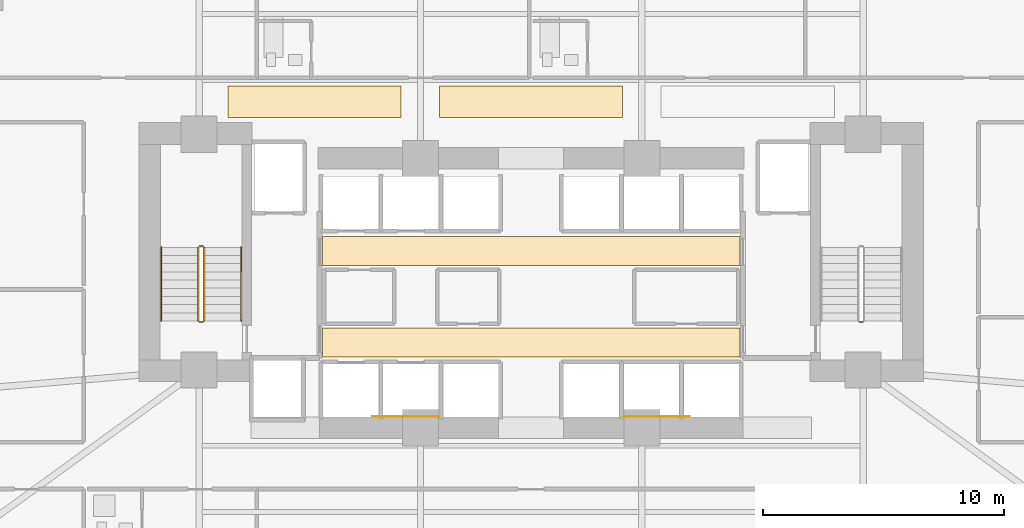
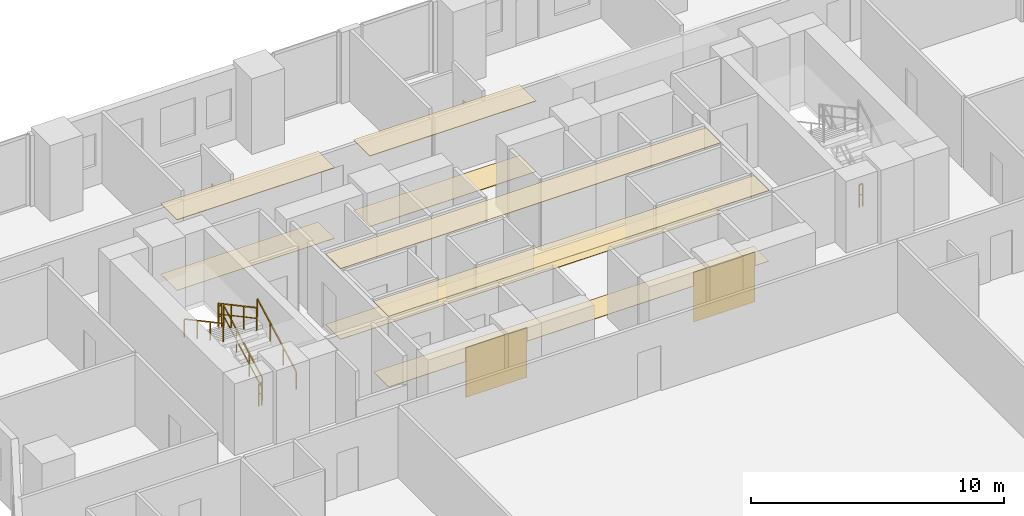
# One storey, part 25 of 28: 10 coverings, 7 railings.
"""IFC4 building model written with IfcOpenShell, lengths in metres."""

from ifc_helpers import new_model, si_unit, direction, frame, origin, origin_2d, place, context, subcontext, project, spatial, polyline, rectangle, outline, extrude, material, layer, layer_set, type_object, element, save


model = new_model("IFC4")

# Units and contexts
model_context = context("Model", 3, precision=1e-05, world=origin(), true_north=direction((0.0, 1.0)))
body_context = subcontext(model_context, "Body", "Model", "MODEL_VIEW")
ifc_project = project(units=[si_unit("LENGTHUNIT", "METRE"), si_unit("AREAUNIT", "SQUARE_METRE"), si_unit("VOLUMEUNIT", "CUBIC_METRE"), si_unit("PLANEANGLEUNIT", "RADIAN"), si_unit("MASSUNIT", "GRAM", prefix="KILO")], contexts=[model_context])

# Site, building, storey
site_placement = place(None, origin())
site = spatial("IfcSite", under=ifc_project, at=site_placement, CompositionType="ELEMENT")
building_placement = place(site_placement, origin())
building = spatial("IfcBuilding", under=site, at=building_placement, Name="Zuhayl Quay Hotel", CompositionType="ELEMENT")
storey_placement = place(building_placement, frame((0.0, 0.0, 71.39990234375)))
storey = spatial("IfcBuildingStorey", under=building, at=storey_placement, Name="L17", CompositionType="ELEMENT", Elevation=71.39990234375)

# Coverings
ifc_material_1 = material(Name="Acoustic Mineral-Fibre Gypsum Board")
ifc_layer_1 = layer(ifc_material_1, 0.02490234375, Name="Acoustic Mineral-Fibre Gypsum Board")
ifc_layer_set_1 = layer_set([ifc_layer_1], Name="Acoustic Mineral-Fibre Gypsum Board")
covering_type_1 = type_object("IfcCoveringType", Name="CV_CEIL_ACOUSTIC", PredefinedType="CEILING", material=ifc_layer_set_1)
covering_1_placement = place(storey_placement, frame((0.0, 0.0, 3.405029296875)))
element("IfcCovering", 1, at=covering_1_placement, inside=storey, type_object=covering_type_1, Name="L17 Suspended Acoustic Lobby Ceiling S", PredefinedType="CEILING", context=body_context, shape_type="SweptSolid", body=[
    extrude(outline(polyline([(-8.679931640625, 5.10009765625), (8.679931640625, 5.10009765625), (8.679931640625, 6.300048828125), (-8.679931640625, 6.300048828125), (-8.679931640625, 5.10009765625)])), origin(), (0.0, 0.0, 1.0), 0.025146484375),
])
covering_2_placement = place(storey_placement, frame((0.0, 0.0, 3.405029296875)))
element("IfcCovering", 2, at=covering_2_placement, inside=storey, type_object=covering_type_1, Name="L17 Suspended Acoustic Lobby Ceiling N", PredefinedType="CEILING", context=body_context, shape_type="SweptSolid", body=[
    extrude(outline(polyline([(-8.679931640625, 8.89990234375), (8.679931640625, 8.89990234375), (8.679931640625, 10.10009765625), (-8.679931640625, 10.10009765625), (-8.679931640625, 8.89990234375)])), origin(), (0.0, 0.0, 1.0), 0.025146484375),
])
covering_3_placement = place(storey_placement, frame((0.0, 0.0, 3.405029296875)))
element("IfcCovering", 3, at=covering_3_placement, inside=storey, type_object=covering_type_1, Name="L17 Guest Corridor Acoustic Ceiling CW", PredefinedType="CEILING", context=body_context, shape_type="SweptSolid", body=[
    extrude(outline(polyline([(-12.60009765625, 15.050048828125), (-5.39990234375, 15.050048828125), (-5.39990234375, 16.35009765625), (-12.60009765625, 16.35009765625), (-12.60009765625, 15.050048828125)])), origin(), (0.0, 0.0, 1.0), 0.025146484375),
])
covering_4_placement = place(storey_placement, frame((0.0, 0.0, 3.405029296875)))
element("IfcCovering", 4, at=covering_4_placement, inside=storey, type_object=covering_type_1, Name="L17 Guest Corridor Acoustic Ceiling CC", PredefinedType="CEILING", context=body_context, shape_type="SweptSolid", body=[
    extrude(outline(polyline([(-3.800048828125, 15.050048828125), (3.800048828125, 15.050048828125), (3.800048828125, 16.35009765625), (-3.800048828125, 16.35009765625), (-3.800048828125, 15.050048828125)])), origin(), (0.0, 0.0, 1.0), 0.025146484375),
])
ifc_material_2 = material(Name="Polished Limestone Terrazzo", Category="masonry")
ifc_layer_2 = layer(ifc_material_2, 0.02001953125, Name="Polished Limestone Terrazzo", Category="masonry")
ifc_layer_set_2 = layer_set([ifc_layer_2], Name="Polished Limestone Terrazzo")
covering_type_2 = type_object("IfcCoveringType", Name="CV_FLOOR_TERRAZZO", PredefinedType="FLOORING", material=ifc_layer_set_2)
covering_5_placement = place(storey_placement, origin())
element("IfcCovering", 5, at=covering_5_placement, inside=storey, type_object=covering_type_2, Name="L17 Honed Limestone Terrazzo Lobby Flooring S", PredefinedType="FLOORING", context=body_context, shape_type="SweptSolid", body=[
    extrude(outline(polyline([(-8.679931640625, 5.10009765625), (8.679931640625, 5.10009765625), (8.679931640625, 6.300048828125), (-8.679931640625, 6.300048828125), (-8.679931640625, 5.10009765625)])), origin(), (0.0, 0.0, 1.0), 0.02001953125),
])
covering_6_placement = place(storey_placement, origin())
element("IfcCovering", 6, at=covering_6_placement, inside=storey, type_object=covering_type_2, Name="L17 Honed Limestone Terrazzo Lobby Flooring N", PredefinedType="FLOORING", context=body_context, shape_type="SweptSolid", body=[
    extrude(outline(polyline([(-8.679931640625, 8.89990234375), (8.679931640625, 8.89990234375), (8.679931640625, 10.10009765625), (-8.679931640625, 10.10009765625), (-8.679931640625, 8.89990234375)])), origin(), (0.0, 0.0, 1.0), 0.02001953125),
])
covering_7_placement = place(storey_placement, origin())
element("IfcCovering", 7, at=covering_7_placement, inside=storey, type_object=covering_type_2, Name="L17 Guest Corridor Terrazzo Runner CW", PredefinedType="FLOORING", context=body_context, shape_type="SweptSolid", body=[
    extrude(outline(polyline([(-12.60009765625, 15.050048828125), (-5.39990234375, 15.050048828125), (-5.39990234375, 16.35009765625), (-12.60009765625, 16.35009765625), (-12.60009765625, 15.050048828125)])), origin(), (0.0, 0.0, 1.0), 0.02001953125),
])
covering_8_placement = place(storey_placement, origin())
element("IfcCovering", 8, at=covering_8_placement, inside=storey, type_object=covering_type_2, Name="L17 Guest Corridor Terrazzo Runner CC", PredefinedType="FLOORING", context=body_context, shape_type="SweptSolid", body=[
    extrude(outline(polyline([(-3.800048828125, 15.050048828125), (3.800048828125, 15.050048828125), (3.800048828125, 16.35009765625), (-3.800048828125, 16.35009765625), (-3.800048828125, 15.050048828125)])), origin(), (0.0, 0.0, 1.0), 0.02001953125),
])
ifc_material_3 = material(Name="Acoustic Walnut Feature Timber", Category="wood")
ifc_layer_3 = layer(ifc_material_3, 0.02197265625, Name="Acoustic Walnut Feature Timber", Category="wood")
ifc_layer_set_3 = layer_set([ifc_layer_3], Name="Acoustic Walnut Feature Timber")
covering_type_3 = type_object("IfcCoveringType", Name="CV_WALL_CLAD", PredefinedType="CLADDING", material=ifc_layer_set_3)
for number, where, z_axis, x_axis, name in (
    (9, (-5.199951171875, 2.611083984375, 0.300048828125), (0.0, 0.0, 1.0), (1.0, 0.0, 0.0), "L17 Feature Lobby Walnut Wall Cladding W"),
    (10, (5.199951171875, 2.611083984375, 0.300048828125), (0.0, 0.0, 1.0), (1.0, 0.0, 0.0), "L17 Feature Lobby Walnut Wall Cladding E"),
):
    element("IfcCovering", number, at=place(storey_placement, frame(where, z_axis=z_axis, x_axis=x_axis)), inside=storey, type_object=covering_type_3, Name=name, PredefinedType="CLADDING", context=body_context, shape_type="SweptSolid", body=[
        extrude(rectangle(XDim=2.800048828125, YDim=0.02197265625, at=origin_2d()), origin(), (0.0, 0.0, 1.0), 2.39990234375),
    ])

# Railings
ifc_material_4 = material(Name="Steel ASTM A992 Grade 50", Category="steel")
railing_type_1 = type_object("IfcRailingType", Name="RL_GUARD_1100", PredefinedType="GUARDRAIL", material=ifc_material_4)
railing_1_placement = place(storey_placement, frame((-13.590087890625, 6.590087890625, 0.1826171875)))
element("IfcRailing", 11, at=railing_1_placement, inside=storey, type_object=railing_type_1, Name="L17 ST1 stair guard 1", PredefinedType="GUARDRAIL", context=body_context, shape_type="SweptSolid", body=[
    extrude(rectangle(XDim=0.048095703125, YDim=0.048095703125, at=origin_2d()), frame((0.0, 0.0, 1.09619140625), z_axis=(0.0, 0.88107310026, 0.472980117973), x_axis=(-1.0, 0.0, 0.0)), (0.0, 0.0, 1.0), 3.472900390625),
    extrude(rectangle(XDim=0.0361328125, YDim=0.0361328125, at=origin_2d()), frame((0.0, 0.0, 0.58251953125), z_axis=(0.0, 0.88107310026, 0.472980117973), x_axis=(-1.0, 0.0, 0.0)), (0.0, 0.0, 1.0), 3.472900390625),
    extrude(rectangle(XDim=0.0419921875, YDim=0.0419921875, at=origin_2d()), origin(), (0.0, 0.0, 1.0), 1.072021484375),
    extrude(rectangle(XDim=0.0419921875, YDim=0.0419921875, at=origin_2d()), frame((0.0, 1.02001953125, 0.547607421875)), (0.0, 0.0, 1.0), 1.072021484375),
    extrude(rectangle(XDim=0.0419921875, YDim=0.0419921875, at=origin_2d()), frame((0.0, 2.039794921875, 1.094970703125)), (0.0, 0.0, 1.0), 1.072021484375),
    extrude(rectangle(XDim=0.0419921875, YDim=0.0419921875, at=origin_2d()), frame((0.0, 3.059814453125, 1.642578125)), (0.0, 0.0, 1.0), 1.072021484375),
])
railing_2_placement = place(storey_placement, frame((-13.639892578125, 9.699951171875, 1.8251953125)))
element("IfcRailing", 12, at=railing_2_placement, inside=storey, type_object=railing_type_1, Name="L17 ST1 stair guard 2", PredefinedType="GUARDRAIL", context=body_context, shape_type="SweptSolid", body=[
    extrude(rectangle(XDim=0.048095703125, YDim=0.048095703125, at=origin_2d()), frame((0.0, 0.0, 1.09619140625), z_axis=(-1.0, 0.0, 0.0), x_axis=(0.0, -1.0, 0.0)), (0.0, 0.0, 1.0), 0.150146484375),
    extrude(rectangle(XDim=0.0361328125, YDim=0.0361328125, at=origin_2d()), frame((0.0, 0.0, 0.58251953125), z_axis=(-1.0, 0.0, 0.0), x_axis=(0.0, -1.0, 0.0)), (0.0, 0.0, 1.0), 0.150146484375),
    extrude(rectangle(XDim=0.0419921875, YDim=0.0419921875, at=origin_2d()), origin(), (0.0, 0.0, 1.0), 1.072021484375),
    extrude(rectangle(XDim=0.0419921875, YDim=0.0419921875, at=origin_2d()), frame((-0.150146484375, 0.0, 0.0)), (0.0, 0.0, 1.0), 1.072021484375),
])
railing_3_placement = place(storey_placement, frame((-13.840087890625, 9.64990234375, 2.007568359375)))
element("IfcRailing", 13, at=railing_3_placement, inside=storey, type_object=railing_type_1, Name="L17 ST1 stair guard 3", PredefinedType="GUARDRAIL", context=body_context, shape_type="SweptSolid", body=[
    extrude(rectangle(XDim=0.048095703125, YDim=0.048095703125, at=origin_2d()), frame((0.0, 0.0, 1.09619140625), z_axis=(0.0, -0.88107310026, 0.472980117973), x_axis=(1.0, 0.0, 0.0)), (0.0, 0.0, 1.0), 3.472900390625),
    extrude(rectangle(XDim=0.0361328125, YDim=0.0361328125, at=origin_2d()), frame((0.0, 0.0, 0.58251953125), z_axis=(0.0, -0.88107310026, 0.472980117973), x_axis=(1.0, 0.0, 0.0)), (0.0, 0.0, 1.0), 3.472900390625),
    extrude(rectangle(XDim=0.0419921875, YDim=0.0419921875, at=origin_2d()), origin(), (0.0, 0.0, 1.0), 1.072021484375),
    extrude(rectangle(XDim=0.0419921875, YDim=0.0419921875, at=origin_2d()), frame((0.0, -1.02001953125, 0.547607421875)), (0.0, 0.0, 1.0), 1.072021484375),
    extrude(rectangle(XDim=0.0419921875, YDim=0.0419921875, at=origin_2d()), frame((0.0, -2.039794921875, 1.094970703125)), (0.0, 0.0, 1.0), 1.072021484375),
    extrude(rectangle(XDim=0.0419921875, YDim=0.0419921875, at=origin_2d()), frame((0.0, -3.059814453125, 1.642578125)), (0.0, 0.0, 1.0), 1.072021484375),
])
for number, where, name in (
    (14, (-13.639892578125, 6.5400390625, 0.0), "L17 ST1 stair guard 4"),
    (15, (13.7900390625, 6.5400390625, 0.0), "L17 ST2 stair guard 4"),
):
    element("IfcRailing", number, at=place(storey_placement, frame(where)), inside=storey, type_object=railing_type_1, Name=name, PredefinedType="GUARDRAIL", context=body_context, shape_type="SweptSolid", body=[
        extrude(rectangle(XDim=0.048095703125, YDim=0.048095703125, at=origin_2d()), frame((0.0, 0.0, 1.09619140625), z_axis=(-1.0, 0.0, 0.0), x_axis=(0.0, -1.0, 0.0)), (0.0, 0.0, 1.0), 0.150146484375),
        extrude(rectangle(XDim=0.0361328125, YDim=0.0361328125, at=origin_2d()), frame((0.0, 0.0, 0.58251953125), z_axis=(-1.0, 0.0, 0.0), x_axis=(0.0, -1.0, 0.0)), (0.0, 0.0, 1.0), 0.150146484375),
        extrude(rectangle(XDim=0.0419921875, YDim=0.0419921875, at=origin_2d()), origin(), (0.0, 0.0, 1.0), 1.072021484375),
        extrude(rectangle(XDim=0.0419921875, YDim=0.0419921875, at=origin_2d()), frame((-0.150146484375, 0.0, 0.0)), (0.0, 0.0, 1.0), 1.072021484375),
    ])
railing_type_2 = type_object("IfcRailingType", Name="RL_HANDRAIL_920", PredefinedType="HANDRAIL", material=ifc_material_4)
railing_4_placement = place(storey_placement, frame((-12.050048828125, 6.590087890625, 0.1826171875)))
element("IfcRailing", 16, at=railing_4_placement, inside=storey, type_object=railing_type_2, Name="L17 ST1 stair handrail 1", PredefinedType="HANDRAIL", context=body_context, shape_type="SweptSolid", body=[
    extrude(rectangle(XDim=0.048095703125, YDim=0.048095703125, at=origin_2d()), frame((0.0, 0.0, 0.8759765625), z_axis=(0.0, 0.88107310026, 0.472980117973), x_axis=(-1.0, 0.0, 0.0)), (0.0, 0.0, 1.0), 3.472900390625),
    extrude(rectangle(XDim=0.0419921875, YDim=0.0419921875, at=origin_2d()), origin(), (0.0, 0.0, 1.0), 0.851806640625),
    extrude(rectangle(XDim=0.0419921875, YDim=0.0419921875, at=origin_2d()), frame((0.0, 1.02001953125, 0.547607421875)), (0.0, 0.0, 1.0), 0.851806640625),
    extrude(rectangle(XDim=0.0419921875, YDim=0.0419921875, at=origin_2d()), frame((0.0, 2.039794921875, 1.094970703125)), (0.0, 0.0, 1.0), 0.851806640625),
    extrude(rectangle(XDim=0.0419921875, YDim=0.0419921875, at=origin_2d()), frame((0.0, 3.059814453125, 1.642578125)), (0.0, 0.0, 1.0), 0.851806640625),
])
railing_5_placement = place(storey_placement, frame((-15.3798828125, 9.64990234375, 2.007568359375)))
element("IfcRailing", 17, at=railing_5_placement, inside=storey, type_object=railing_type_2, Name="L17 ST1 stair handrail 2", PredefinedType="HANDRAIL", context=body_context, shape_type="SweptSolid", body=[
    extrude(rectangle(XDim=0.048095703125, YDim=0.048095703125, at=origin_2d()), frame((0.0, 0.0, 0.8759765625), z_axis=(0.0, -0.88107310026, 0.472980117973), x_axis=(1.0, 0.0, 0.0)), (0.0, 0.0, 1.0), 3.472900390625),
    extrude(rectangle(XDim=0.0419921875, YDim=0.0419921875, at=origin_2d()), origin(), (0.0, 0.0, 1.0), 0.851806640625),
    extrude(rectangle(XDim=0.0419921875, YDim=0.0419921875, at=origin_2d()), frame((0.0, -1.02001953125, 0.547607421875)), (0.0, 0.0, 1.0), 0.851806640625),
    extrude(rectangle(XDim=0.0419921875, YDim=0.0419921875, at=origin_2d()), frame((0.0, -2.039794921875, 1.094970703125)), (0.0, 0.0, 1.0), 0.851806640625),
    extrude(rectangle(XDim=0.0419921875, YDim=0.0419921875, at=origin_2d()), frame((0.0, -3.059814453125, 1.642578125)), (0.0, 0.0, 1.0), 0.851806640625),
])

save(model, "model.ifc")
